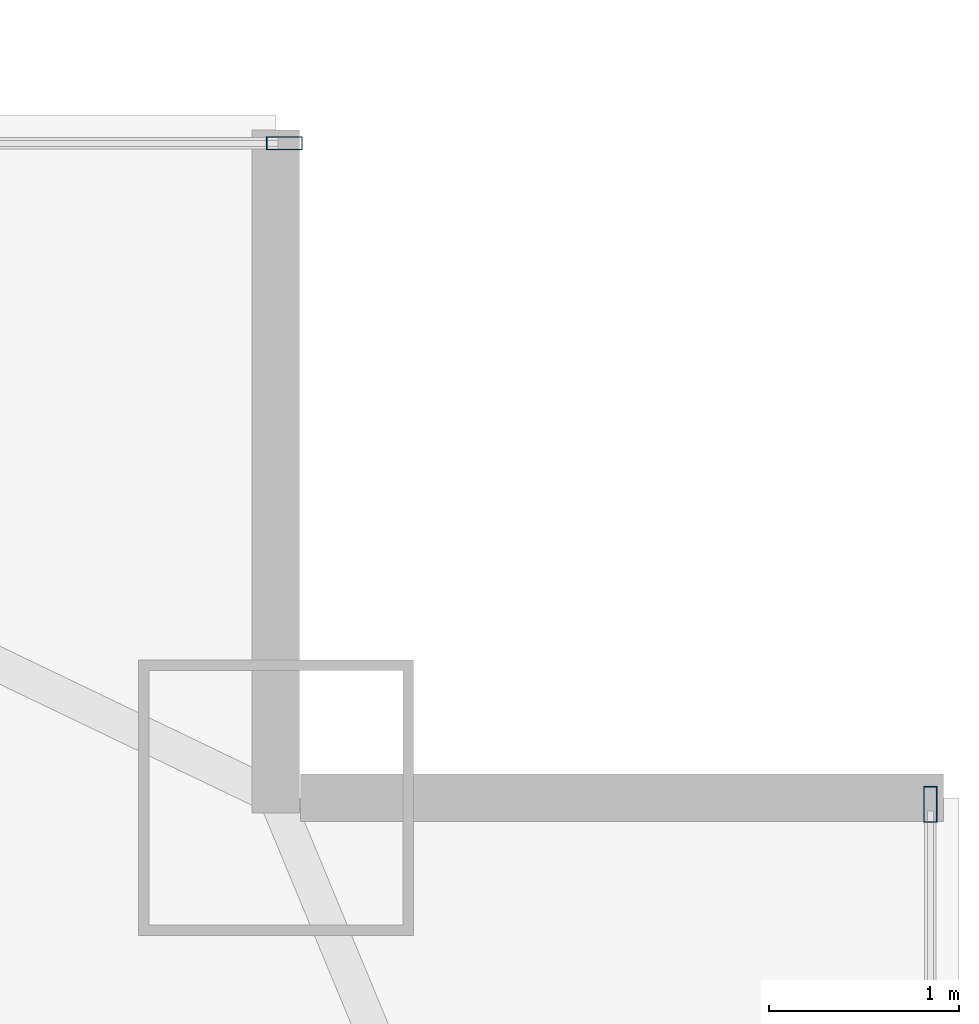
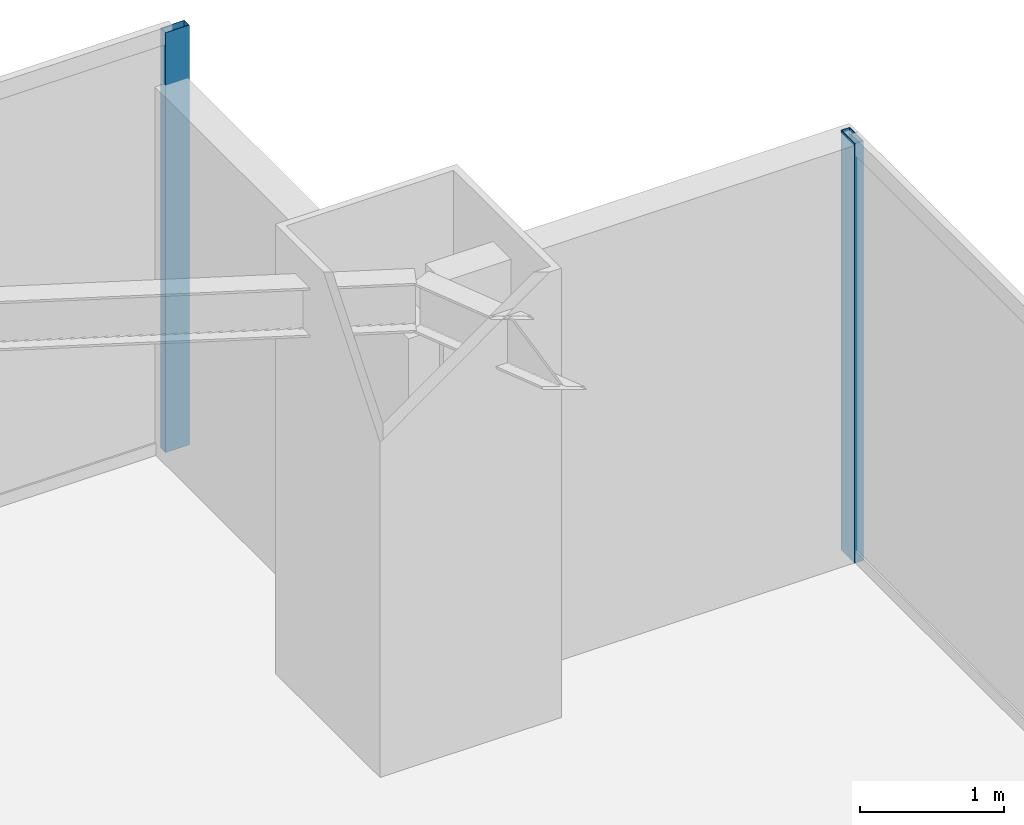
# One storey, part 26 of 37: 2 members, 2 elements without a shape of their own.
"""IFC4 building model written with IfcOpenShell, lengths in metres."""

from ifc_helpers import new_model, si_unit, direction, frame, origin, origin_2d, place, context, subcontext, project, spatial, hollow_rectangle, extrude, source, transform, mapped, material, layer, layer_set, material_profile, profile_set, type_object, type_shapes, element, aggregate, save


model = new_model("IFC4")

# Units and contexts
model_context = context("Model", 3, precision=1e-05, world=origin(), true_north=direction((0.0, 1.0)))
body_context = subcontext(model_context, "Body", "Model", "MODEL_VIEW")
ifc_project = project(units=[si_unit("LENGTHUNIT", "METRE"), si_unit("AREAUNIT", "SQUARE_METRE"), si_unit("VOLUMEUNIT", "CUBIC_METRE"), si_unit("PLANEANGLEUNIT", "RADIAN"), si_unit("MASSUNIT", "GRAM", prefix="KILO")], contexts=[model_context])

# Site, building, storey
site_placement = place(None, origin())
site = spatial("IfcSite", under=ifc_project, at=site_placement, CompositionType="ELEMENT")
building_placement = place(site_placement, origin())
building = spatial("IfcBuilding", under=site, at=building_placement, Name="Varnel Quay Broadcast Tower", CompositionType="ELEMENT")
storey_placement = place(building_placement, frame((0.0, 0.0, 125.800048828125)))
storey = spatial("IfcBuildingStorey", under=building, at=storey_placement, Name="L30", CompositionType="ELEMENT", Elevation=125.800048828125)

# Curtain wall, member
ifc_material = material(Name="Anodised Bronze Aluminium 6063-T6", Category="aluminium")
ifc_layer = layer(ifc_material, 0.18994140625, Name="Anodised Bronze Aluminium 6063-T6")
ifc_layer_set = layer_set([ifc_layer], Name="Anodised Bronze Aluminium 6063-T6")
curtain_wall_type = type_object("IfcCurtainWallType", Name="CW_LowerTower", PredefinedType="NOTDEFINED", material=ifc_layer_set)
curtain_wall_1_placement = place(storey_placement, origin())
curtain_wall_1 = element("IfcCurtainWall", 1, at=curtain_wall_1_placement, inside=storey, type_object=curtain_wall_type, Name="L30 East Unitised Curtain Wall", PredefinedType="NOTDEFINED")
ifc_material_profile = material_profile(ifc_material, hollow_rectangle(XDim=0.070068359375, YDim=0.18994140625, WallThickness=0.00390625, at=origin_2d()), Name="ALU70X190X4")
ifc_profile_set = profile_set([ifc_material_profile], Name="Anodised Bronze Aluminium 6063-T6")
member_type = type_object("IfcMemberType", Name="Mull_CWS-02", PredefinedType="MULLION", material=ifc_profile_set)
shared_shape = source(origin(), body_context, "Body", "SweptSolid", [
    extrude(hollow_rectangle(XDim=0.070068359375, YDim=0.18994140625, WallThickness=0.00390625, at=origin_2d()), origin(), (0.0, 0.0, 1.0), 3.550048828125),
])
type_shapes(member_type, [shared_shape])
member_1_placement = place(storey_placement, frame((63.35009765625, 43.1650390625, 0.0), z_axis=(0.0, 0.0, 1.0), x_axis=(-1.0, 0.0, 0.0)))
member_1 = element("IfcMember", 2, at=member_1_placement, type_object=member_type, Name="CWS-02 mullion 4", PredefinedType="MULLION", context=body_context, shape_type="MappedRepresentation", body=[
    mapped(shared_shape, transform((0.0, 0.0, 0.0), x_axis=(1.0, 0.0, 0.0), y_axis=(0.0, 1.0, 0.0), z_axis=(0.0, 0.0, 1.0), scale=1.0)),
])
aggregate(curtain_wall_1, [member_1])

curtain_wall_2_placement = place(storey_placement, origin())
curtain_wall_2 = element("IfcCurtainWall", 3, at=curtain_wall_2_placement, inside=storey, type_object=curtain_wall_type, Name="L30 NE Wing Curtain Wall", PredefinedType="NOTDEFINED")
member_2_placement = place(storey_placement, frame((59.945068359375, 46.64990234375, 0.0), z_axis=(0.0, 0.0, 1.0), x_axis=(0.0, 1.0, 0.0)))
member_2 = element("IfcMember", 4, at=member_2_placement, type_object=member_type, Name="CWS-02 mullion 2", PredefinedType="MULLION", context=body_context, shape_type="MappedRepresentation", body=[
    mapped(shared_shape, transform((0.0, 0.0, 0.0), x_axis=(1.0, 0.0, 0.0), y_axis=(0.0, 1.0, 0.0), z_axis=(0.0, 0.0, 1.0), scale=1.0)),
])
aggregate(curtain_wall_2, [member_2])

save(model, "model.ifc")
